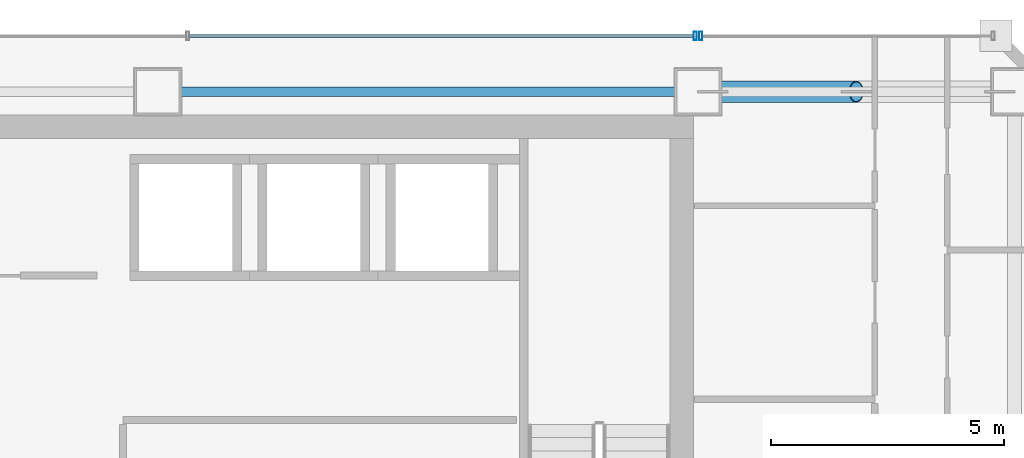
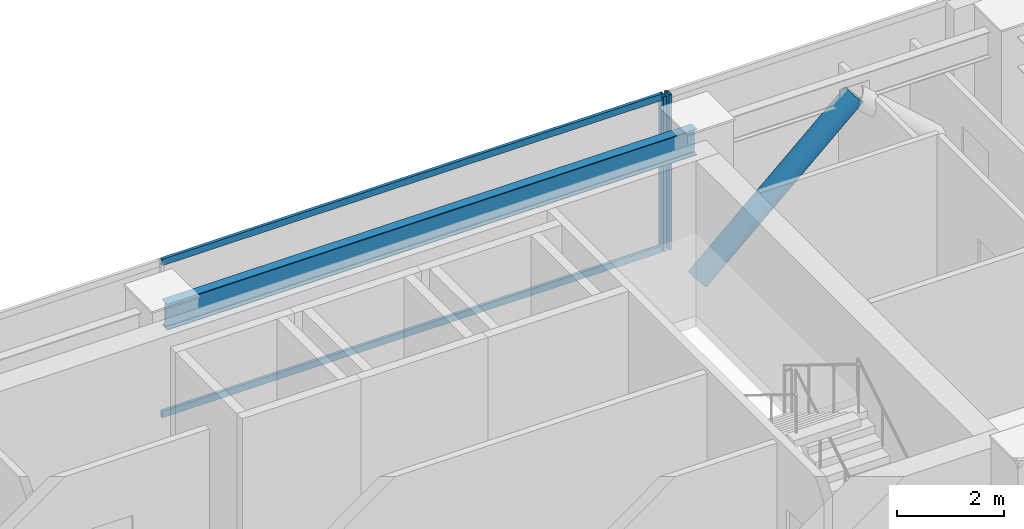
# One storey, part 25 of 35: 5 members, 1 beam, 2 elements without a shape of their own.
"""IFC4 building model written with IfcOpenShell, lengths in metres."""

from ifc_helpers import new_model, si_unit, direction, frame, origin, origin_2d, place, context, subcontext, project, spatial, hollow_rectangle, hollow_circle, i_section, extrude, material, material_profile, profile_set, type_object, element, aggregate, save


model = new_model("IFC4")

# Units and contexts
model_context = context("Model", 3, precision=1e-05, world=origin(), true_north=direction((0.0, 1.0)))
body_context = subcontext(model_context, "Body", "Model", "MODEL_VIEW")
ifc_project = project(units=[si_unit("LENGTHUNIT", "METRE"), si_unit("AREAUNIT", "SQUARE_METRE"), si_unit("VOLUMEUNIT", "CUBIC_METRE"), si_unit("PLANEANGLEUNIT", "RADIAN"), si_unit("MASSUNIT", "GRAM", prefix="KILO")], contexts=[model_context])

# Site, building, storey
site_placement = place(None, origin())
site = spatial("IfcSite", under=ifc_project, at=site_placement, CompositionType="ELEMENT")
building_placement = place(site_placement, origin())
building = spatial("IfcBuilding", under=site, at=building_placement, Name="Saevonmaru Cultural Tower", CompositionType="ELEMENT")
storey_placement = place(building_placement, frame((0.0, 0.0, 179.0)))
storey = spatial("IfcBuildingStorey", under=building, at=storey_placement, Name="L40", CompositionType="ELEMENT", Elevation=179.0)

# Beam
ifc_material_1 = material(Name="Steel SM355", Category="steel")
ifc_material_profile_1 = material_profile(ifc_material_1, i_section(OverallWidth=0.199951171875, OverallDepth=0.60009765625, WebThickness=0.010986328125, FlangeThickness=0.01708984375, FilletRadius=0.02197265625, at=origin_2d()), Name="H-600x200x11x17")
ifc_profile_set_1 = profile_set([ifc_material_profile_1], Name="Steel SM355")
beam_type = type_object("IfcBeamType", Name="BM-SP-H600", PredefinedType="SPANDREL", material=ifc_profile_set_1)
beam_placement = place(storey_placement, frame((34.860107421875, 54.800048828125, 3.25), z_axis=(1.0, 0.0, 0.0), x_axis=(0.0, 1.0, 0.0)))
element("IfcBeam", 1, at=beam_placement, inside=storey, type_object=beam_type, Name="L40 North Spine Girder 4", PredefinedType="SPANDREL", context=body_context, shape_type="SweptSolid", body=[
    extrude(i_section(OverallWidth=0.199951171875, OverallDepth=0.60009765625, WebThickness=0.010986328125, FlangeThickness=0.01708984375, FilletRadius=0.02197265625, at=origin_2d()), origin(), (0.0, 0.0, 1.0), 11.47998046875),
])

# Member
ifc_material_2 = material(Name="Steel SM420", Category="steel")
ifc_material_profile_2 = material_profile(ifc_material_2, hollow_circle(Radius=0.228515625, WallThickness=0.02001953125, at=origin_2d()), Name="CHS-457.2x20")
ifc_profile_set_2 = profile_set([ifc_material_profile_2], Name="Steel SM420")
member_type_1 = type_object("IfcMemberType", Name="MB-PBR-CHS457", PredefinedType="BRACE", material=ifc_profile_set_2)
member_1_placement = place(storey_placement, frame((46.39990234375, 54.800048828125, 0.02001953125), z_axis=(0.744390779303, 0.0, 0.66774423823), x_axis=(0.0, 1.0, 0.0)))
element("IfcMember", 2, at=member_1_placement, inside=storey, type_object=member_type_1, Name="L40 Perimeter Braced-Tube Diagonal EN1", PredefinedType="BRACE", context=body_context, shape_type="SweptSolid", body=[
    extrude(hollow_circle(Radius=0.228515625, WallThickness=0.02001953125, at=origin_2d()), origin(), (0.0, 0.0, 1.0), 4.567626953125),
])

# Curtain wall, member
ifc_material_3 = material(Name="Satin Bronze Anodised Aluminium", Category="aluminium")
curtain_wall_type = type_object("IfcCurtainWallType", Name="CW-TYP-B", PredefinedType="NOTDEFINED", material=ifc_material_3)
curtain_wall_1_placement = place(storey_placement, origin())
curtain_wall_1 = element("IfcCurtainWall", 3, at=curtain_wall_1_placement, inside=storey, type_object=curtain_wall_type, Name="L40 East Braced Bay Spandrel Curtain Wall E10A", PredefinedType="NOTDEFINED")
ifc_material_profile_3 = material_profile(ifc_material_3, hollow_rectangle(XDim=0.06494140625, YDim=0.179931640625, WallThickness=0.00390625, at=origin_2d()), Name="ALU-MULL-180x65x4")
ifc_profile_set_3 = profile_set([ifc_material_profile_3], Name="Satin Bronze Anodised Aluminium")
member_type_2 = type_object("IfcMemberType", Name="ML-CW-180x65", PredefinedType="MULLION", material=ifc_profile_set_3)
member_2_placement = place(storey_placement, frame((46.4599609375, 56.0, 0.0), z_axis=(0.0, 0.0, 1.0), x_axis=(-1.0, 0.0, 0.0)))
member_2 = element("IfcMember", 4, at=member_2_placement, type_object=member_type_2, Name="CW-TW-L40-E10A mullion 2", PredefinedType="MULLION", context=body_context, shape_type="SweptSolid", body=[
    extrude(hollow_rectangle(XDim=0.06494140625, YDim=0.179931640625, WallThickness=0.00390625, at=origin_2d()), origin(), (0.0, 0.0, 1.0), 3.550048828125),
])
aggregate(curtain_wall_1, [member_2])

# Curtain wall, members
curtain_wall_2_placement = place(storey_placement, origin())
curtain_wall_2 = element("IfcCurtainWall", 5, at=curtain_wall_2_placement, inside=storey, type_object=curtain_wall_type, Name="L40 North Spine Unitised Curtain Wall E10B", PredefinedType="NOTDEFINED")
member_3_placement = place(storey_placement, frame((46.340087890625, 56.0, 0.0), z_axis=(0.0, 0.0, 1.0), x_axis=(-1.0, 0.0, 0.0)))
member_3 = element("IfcMember", 6, at=member_3_placement, type_object=member_type_2, Name="CW-TW-L40-E10B mullion 1", PredefinedType="MULLION", context=body_context, shape_type="SweptSolid", body=[
    extrude(hollow_rectangle(XDim=0.06494140625, YDim=0.179931640625, WallThickness=0.00390625, at=origin_2d()), origin(), (0.0, 0.0, 1.0), 3.550048828125),
])
ifc_material_profile_4 = material_profile(ifc_material_3, hollow_rectangle(XDim=0.06494140625, YDim=0.14990234375, WallThickness=0.00390625, at=origin_2d()), Name="ALU-TRAN-150x65x4")
ifc_profile_set_4 = profile_set([ifc_material_profile_4], Name="Satin Bronze Anodised Aluminium")
member_type_3 = type_object("IfcMemberType", Name="TR-CW-150x65", PredefinedType="USERDEFINED", material=ifc_profile_set_4)
member_4_placement = place(storey_placement, frame((46.3076171875, 56.0, 0.032470703125), z_axis=(-1.0, 0.0, 0.0), x_axis=(0.0, -1.0, 0.0)))
member_4 = element("IfcMember", 7, at=member_4_placement, type_object=member_type_3, Name="CW-TW-L40-E10B transom 1.1", ObjectType="TRANSOM", PredefinedType="USERDEFINED", context=body_context, shape_type="SweptSolid", body=[
    extrude(hollow_rectangle(XDim=0.06494140625, YDim=0.14990234375, WallThickness=0.00390625, at=origin_2d()), origin(), (0.0, 0.0, 1.0), 10.828369140625),
])
member_5_placement = place(storey_placement, frame((46.3076171875, 56.0, 3.517578125), z_axis=(-1.0, 0.0, 0.0), x_axis=(0.0, -1.0, 0.0)))
member_5 = element("IfcMember", 8, at=member_5_placement, type_object=member_type_3, Name="CW-TW-L40-E10B transom 1.2", ObjectType="TRANSOM", PredefinedType="USERDEFINED", context=body_context, shape_type="SweptSolid", body=[
    extrude(hollow_rectangle(XDim=0.06494140625, YDim=0.14990234375, WallThickness=0.00390625, at=origin_2d()), origin(), (0.0, 0.0, 1.0), 10.828369140625),
])
aggregate(curtain_wall_2, [member_3, member_4, member_5])

save(model, "model.ifc")
